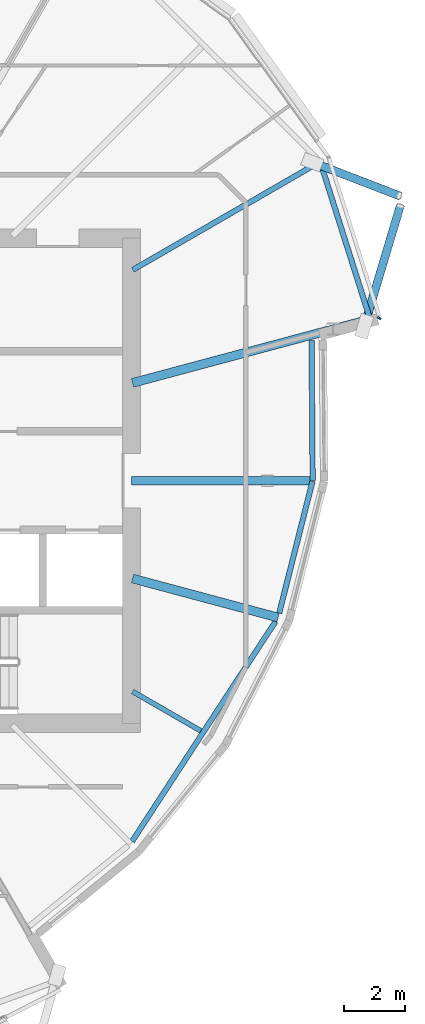
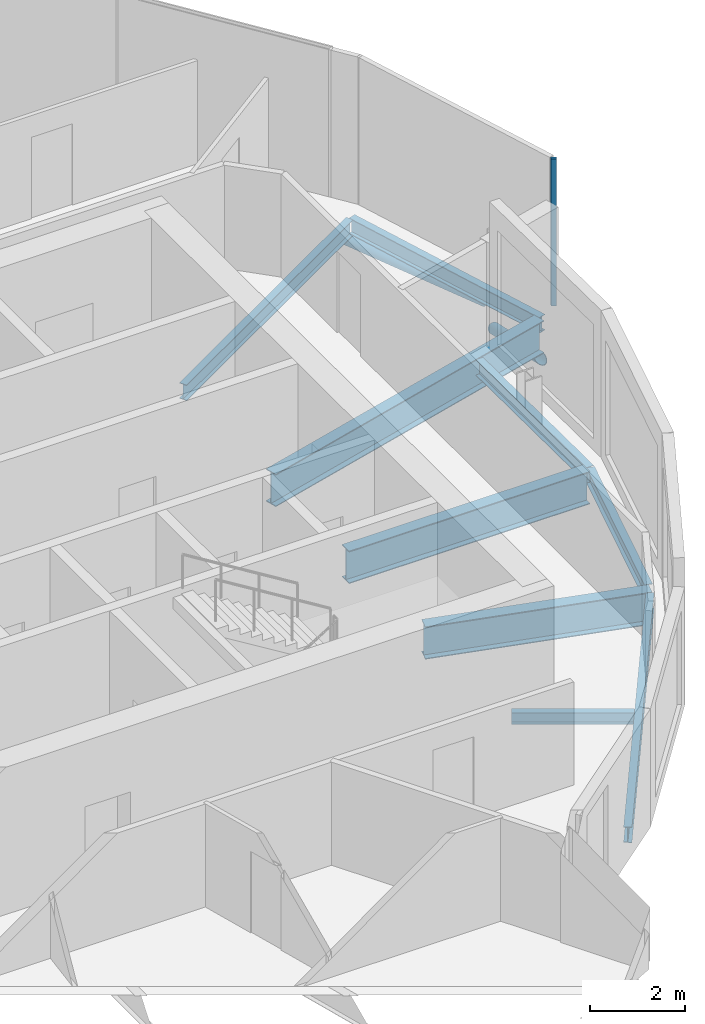
# One storey, part 14 of 36: 9 beams, 3 members, 1 element without a shape of its own.
"""IFC4 building model written with IfcOpenShell, lengths in metres."""

from ifc_helpers import new_model, si_unit, direction, frame, origin, origin_2d, place, context, subcontext, project, spatial, rectangle, hollow_circle, i_section, extrude, clip, halfspace, material, material_profile, profile_set, type_object, element, aggregate, save


model = new_model("IFC4")

# Units and contexts
model_context = context("Model", 3, precision=1e-05, world=origin(), true_north=direction((0.0, 1.0)))
body_context = subcontext(model_context, "Body", "Model", "MODEL_VIEW")
ifc_project = project(units=[si_unit("LENGTHUNIT", "METRE"), si_unit("AREAUNIT", "SQUARE_METRE"), si_unit("VOLUMEUNIT", "CUBIC_METRE"), si_unit("PLANEANGLEUNIT", "RADIAN"), si_unit("MASSUNIT", "GRAM", prefix="KILO")], contexts=[model_context])

# Site, building, storey
site_placement = place(None, origin())
site = spatial("IfcSite", under=ifc_project, at=site_placement, CompositionType="ELEMENT")
building_placement = place(site_placement, origin())
building = spatial("IfcBuilding", under=site, at=building_placement, Name="Rimbun Link Towers", CompositionType="ELEMENT")
storey_placement = place(building_placement, frame((0.0, 0.0, 200.699951171875)))
storey = spatial("IfcBuildingStorey", under=building, at=storey_placement, Name="L49", CompositionType="ELEMENT", Elevation=200.699951171875)

# Curtain wall, member
ifc_material_1 = material(Name="Aluminium 6063-T6 and low-iron glass", Category="aluminium")
curtain_wall_type = type_object("IfcCurtainWallType", Name="CW1-Z3 unitised vision wall (zone 3)", PredefinedType="NOTDEFINED", material=ifc_material_1)
curtain_wall_placement = place(storey_placement, origin())
curtain_wall = element("IfcCurtainWall", 1, at=curtain_wall_placement, inside=storey, type_object=curtain_wall_type, Name="CW1 L49 T2", PredefinedType="NOTDEFINED")
ifc_material_2 = material(Name="Aluminium 6063-T6", Category="aluminium")
ifc_material_profile_1 = material_profile(ifc_material_2, rectangle(XDim=0.1201171875, YDim=0.06005859375, at=origin_2d()), Name="MULLION 60X120")
ifc_profile_set_1 = profile_set([ifc_material_profile_1], Name="Aluminium 6063-T6")
member_type_1 = type_object("IfcMemberType", Name="CW1 mullion 60X120", PredefinedType="MULLION", material=ifc_profile_set_1)
member_1_placement = place(storey_placement, frame((51.924072265625, 5.36279296875, 0.0), z_axis=(0.0, 0.0, 1.0), x_axis=(0.877316894371, -0.479911519814, 0.0)))
member_1 = element("IfcMember", 2, at=member_1_placement, type_object=member_type_1, Name="CW1 mullion", PredefinedType="MULLION", context=body_context, shape_type="SweptSolid", body=[
    extrude(rectangle(XDim=0.1201171875, YDim=0.06005859375, at=origin_2d()), origin(), (0.0, 0.0, 1.0), 3.800048828125),
])
aggregate(curtain_wall, [member_1])

# Members
ifc_material_3 = material(Name="Steel S355J2H", Category="steel")
ifc_material_profile_2 = material_profile(ifc_material_3, hollow_circle(Radius=0.136474609375, WallThickness=0.012451171875, at=origin_2d()), Name="CHS 273x12.5")
ifc_profile_set_2 = profile_set([ifc_material_profile_2], Name="Steel S355J2H")
member_type_2 = type_object("IfcMemberType", Name="Floor edge link CHS 273x12.5", PredefinedType="BRACE", material=ifc_profile_set_2)
member_2_placement = place(storey_placement, frame((51.487548828125, 5.288818359375, -1.11328125), z_axis=(0.256097778334, 0.856551460163, -0.448032949709), x_axis=(-0.958092986447, 0.286457377843, 0.0)))
element("IfcMember", 3, at=member_2_placement, inside=storey, type_object=member_type_2, Name="Floor edge link T2 L49 22", PredefinedType="BRACE", context=body_context, shape_type="Clipping", body=[
    clip(extrude(hollow_circle(Radius=0.136474609375, WallThickness=0.012451171875, at=origin_2d()), frame((0.0, 0.0, -0.567138671875)), (0.0, 0.0, 1.0), 4.984619140625), halfspace(frame((0.0, 0.0, -0.269287109375), z_axis=(0.0, 0.894017044566, -0.448032949709)), False)),
])
member_3_placement = place(storey_placement, frame((49.85400390625, 10.452392578125, -0.671142578125), z_axis=(0.784203105865, -0.303120901269, -0.541427010747), x_axis=(0.360537269951, 0.932744808067, 0.0)))
element("IfcMember", 4, at=member_3_placement, inside=storey, type_object=member_type_2, Name="Floor edge link T2 L49 23", PredefinedType="BRACE", context=body_context, shape_type="Clipping", body=[
    clip(extrude(hollow_circle(Radius=0.136474609375, WallThickness=0.012451171875, at=origin_2d()), frame((0.0, 0.0, -0.4423828125)), (0.0, 0.0, 1.0), 3.93798828125), halfspace(frame((0.0, 0.0, -0.208251953125), z_axis=(0.0, 0.840747757674, -0.541427010747)), False)),
])

# Beams
ifc_material_4 = material(Name="Steel S355J2", Category="steel")
ifc_material_profile_3 = material_profile(ifc_material_4, i_section(OverallWidth=0.1650390625, OverallDepth=0.303466796875, WebThickness=0.006103515625, FlangeThickness=0.01025390625, at=origin_2d()), Name="UB 305x165x40")
ifc_profile_set_3 = profile_set([ifc_material_profile_3], Name="Steel S355J2")
beam_type_1 = type_object("IfcBeamType", Name="UB 305x165x40", PredefinedType="BEAM", material=ifc_profile_set_3)
beam_1_placement = place(storey_placement, frame((43.7919921875, -6.952392578125, -0.3017578125), z_axis=(0.866007112766, -0.500031679635, 0.0), x_axis=(0.500031679635, 0.866007112766, 0.0)))
element("IfcBeam", 5, at=beam_1_placement, inside=storey, type_object=beam_type_1, Name="Radial beam T2 L49 19", PredefinedType="BEAM", context=body_context, shape_type="SweptSolid", body=[
    extrude(i_section(OverallWidth=0.1650390625, OverallDepth=0.303466796875, WebThickness=0.006103515625, FlangeThickness=0.01025390625, at=origin_2d()), origin(), (0.0, 0.0, 1.0), 2.596923828125),
])
ifc_material_5 = material(Name="Steel S355J2", Category="steel")
ifc_material_profile_4 = material_profile(ifc_material_5, i_section(OverallWidth=0.177978515625, OverallDepth=0.406494140625, WebThickness=0.0078125, FlangeThickness=0.0126953125, at=origin_2d()), Name="UB 406x178x60")
ifc_profile_set_4 = profile_set([ifc_material_profile_4], Name="Steel S355J2")
beam_type_2 = type_object("IfcBeamType", Name="UB 406x178x60", PredefinedType="BEAM", material=ifc_profile_set_4)
beam_2_placement = place(storey_placement, frame((43.79541015625, 6.954345703125, -0.353271484375), z_axis=(0.866021131746, 0.500007399315, 0.0), x_axis=(-0.500007399315, 0.866021131746, 0.0)))
element("IfcBeam", 6, at=beam_2_placement, inside=storey, type_object=beam_type_2, Name="Radial beam T2 L49 23", PredefinedType="BEAM", context=body_context, shape_type="SweptSolid", body=[
    extrude(i_section(OverallWidth=0.177978515625, OverallDepth=0.406494140625, WebThickness=0.0078125, FlangeThickness=0.0126953125, at=origin_2d()), origin(), (0.0, 0.0, 1.0), 7.0458984375),
])
beam_3_placement = place(storey_placement, frame((43.771728515625, -11.89453125, -0.353271484375), z_axis=(0.546338296715, 0.837564603803, 0.0), x_axis=(-0.837564603803, 0.546338296715, 0.0)))
element("IfcBeam", 7, at=beam_3_placement, inside=storey, type_object=beam_type_2, Name="Edge beam T2 L49 18-20", PredefinedType="BEAM", context=body_context, shape_type="SweptSolid", body=[
    extrude(i_section(OverallWidth=0.177978515625, OverallDepth=0.406494140625, WebThickness=0.0078125, FlangeThickness=0.0126953125, at=origin_2d()), origin(), (0.0, 0.0, 1.0), 8.659912109375),
])
beam_4_placement = place(storey_placement, frame((48.6240234375, -4.36767578125, -0.353271484375), z_axis=(0.244926000863, 0.969541775326, 0.0), x_axis=(-0.969541775326, 0.244926000863, 0.0)))
element("IfcBeam", 8, at=beam_4_placement, inside=storey, type_object=beam_type_2, Name="Edge beam T2 L49 20 recess", PredefinedType="BEAM", context=body_context, shape_type="SweptSolid", body=[
    extrude(i_section(OverallWidth=0.177978515625, OverallDepth=0.406494140625, WebThickness=0.0078125, FlangeThickness=0.0126953125, at=origin_2d()), origin(), (0.0, 0.0, 1.0), 4.492431640625),
])
beam_5_placement = place(storey_placement, frame((49.727294921875, 0.012451171875, -0.353271484375), z_axis=(-0.007716064356, 0.999970230732, 0.0), x_axis=(-0.999970230732, -0.007716064356, 0.0)))
element("IfcBeam", 9, at=beam_5_placement, inside=storey, type_object=beam_type_2, Name="Edge beam T2 L49 21 recess", PredefinedType="BEAM", context=body_context, shape_type="SweptSolid", body=[
    extrude(i_section(OverallWidth=0.177978515625, OverallDepth=0.406494140625, WebThickness=0.0078125, FlangeThickness=0.0126953125, at=origin_2d()), origin(), (0.0, 0.0, 1.0), 4.61962890625),
])
beam_6_placement = place(storey_placement, frame((51.62255859375, 5.325927734375, -0.353271484375), z_axis=(-0.301840819217, 0.953358337591, 0.0), x_axis=(-0.953358337591, -0.301840819217, 0.0)))
element("IfcBeam", 10, at=beam_6_placement, inside=storey, type_object=beam_type_2, Name="Edge beam T2 L49 22", PredefinedType="BEAM", context=body_context, shape_type="SweptSolid", body=[
    extrude(i_section(OverallWidth=0.177978515625, OverallDepth=0.406494140625, WebThickness=0.0078125, FlangeThickness=0.0126953125, at=origin_2d()), origin(), (0.0, 0.0, 1.0), 5.45068359375),
])
ifc_material_6 = material(Name="Steel S355J2", Category="steel")
ifc_material_profile_5 = material_profile(ifc_material_6, i_section(OverallWidth=0.29248046875, OverallDepth=0.8408203125, WebThickness=0.0126953125, FlangeThickness=0.021728515625, at=origin_2d()), Name="UB 838x292x194")
ifc_profile_set_5 = profile_set([ifc_material_profile_5], Name="Steel S355J2")
beam_type_3 = type_object("IfcBeamType", Name="UB 838x292x194", PredefinedType="BEAM", material=ifc_profile_set_5)
beam_7_placement = place(storey_placement, frame((43.788818359375, -3.225830078125, -0.5703125), z_axis=(0.965923483758, -0.258827787391, 0.0), x_axis=(0.258827787391, 0.965923483758, 0.0)))
element("IfcBeam", 11, at=beam_7_placement, inside=storey, type_object=beam_type_3, Name="Radial beam T2 L49 20", PredefinedType="BEAM", context=body_context, shape_type="SweptSolid", body=[
    extrude(i_section(OverallWidth=0.29248046875, OverallDepth=0.8408203125, WebThickness=0.0126953125, FlangeThickness=0.021728515625, at=origin_2d()), origin(), (0.0, 0.0, 1.0), 4.968017578125),
])
beam_8_placement = place(storey_placement, frame((43.7509765625, 0.0, -0.5703125), z_axis=(1.0, 0.0, 0.0), x_axis=(0.0, 1.0, 0.0)))
element("IfcBeam", 12, at=beam_8_placement, inside=storey, type_object=beam_type_3, Name="Radial beam T2 L49 21", PredefinedType="BEAM", context=body_context, shape_type="SweptSolid", body=[
    extrude(i_section(OverallWidth=0.29248046875, OverallDepth=0.8408203125, WebThickness=0.0126953125, FlangeThickness=0.021728515625, at=origin_2d()), origin(), (0.0, 0.0, 1.0), 5.8857421875),
])
beam_9_placement = place(storey_placement, frame((43.788818359375, 3.225830078125, -0.5703125), z_axis=(0.965930116514, 0.258803033235, 0.0), x_axis=(-0.258803033235, 0.965930116514, 0.0)))
element("IfcBeam", 13, at=beam_9_placement, inside=storey, type_object=beam_type_3, Name="Radial beam T2 L49 22", PredefinedType="BEAM", context=body_context, shape_type="SweptSolid", body=[
    extrude(i_section(OverallWidth=0.29248046875, OverallDepth=0.8408203125, WebThickness=0.0126953125, FlangeThickness=0.021728515625, at=origin_2d()), origin(), (0.0, 0.0, 1.0), 8.020263671875),
])

save(model, "model.ifc")
